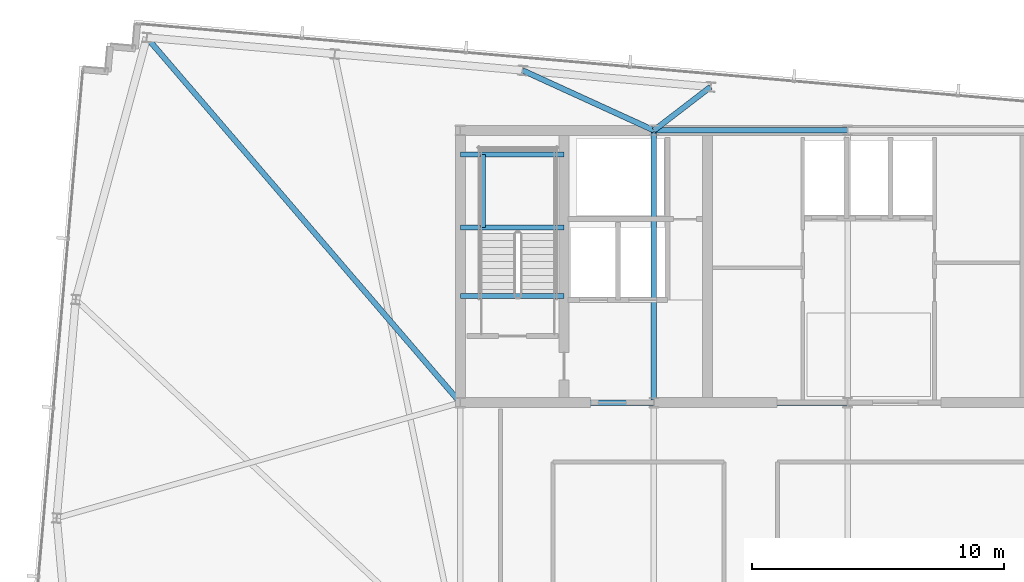
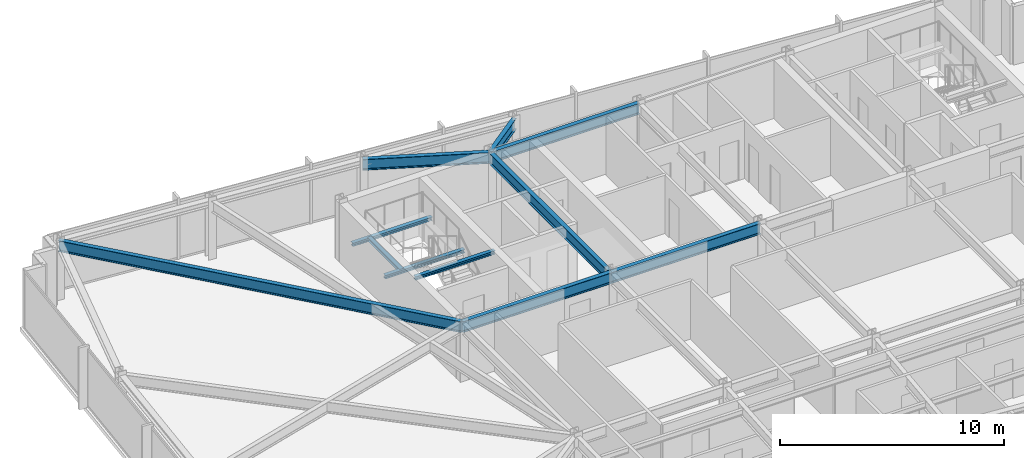
# One storey, part 12 of 32: 11 beams.
"""IFC4 building model written with IfcOpenShell, lengths in metres."""

from ifc_helpers import new_model, si_unit, direction, frame, origin, origin_2d, place, context, subcontext, project, spatial, i_section, extrude, material, material_profile, profile_set, type_object, element, save


model = new_model("IFC4")

# Units and contexts
model_context = context("Model", 3, precision=1e-05, world=origin(), true_north=direction((0.0, 1.0)))
body_context = subcontext(model_context, "Body", "Model", "MODEL_VIEW")
ifc_project = project(units=[si_unit("LENGTHUNIT", "METRE"), si_unit("AREAUNIT", "SQUARE_METRE"), si_unit("VOLUMEUNIT", "CUBIC_METRE"), si_unit("PLANEANGLEUNIT", "RADIAN"), si_unit("MASSUNIT", "GRAM", prefix="KILO")], contexts=[model_context])

# Site, building, storey
site_placement = place(None, origin())
site = spatial("IfcSite", under=ifc_project, at=site_placement, CompositionType="ELEMENT")
building_placement = place(site_placement, origin())
building = spatial("IfcBuilding", under=site, at=building_placement, Name="Yelkora Congress Tower", CompositionType="ELEMENT")
storey_placement = place(building_placement, frame((0.0, 0.0, 276.10009765625)))
storey = spatial("IfcBuildingStorey", under=building, at=storey_placement, Name="L77", CompositionType="ELEMENT", Elevation=276.10009765625)

# Beams
ifc_material = material(Name="Steel S355J2", Category="steel")
ifc_material_profile_1 = material_profile(ifc_material, i_section(OverallWidth=0.219970703125, OverallDepth=0.60009765625, WebThickness=0.011962890625, FlangeThickness=0.01904296875, FilletRadius=0.02392578125, at=origin_2d()), Name="IPE 600")
ifc_profile_set_1 = profile_set([ifc_material_profile_1], Name="Steel S355J2")
beam_type_1 = type_object("IfcBeamType", Name="BM-GIRD-IPE600", PredefinedType="BEAM", material=ifc_profile_set_1)
for number, where, z_axis, x_axis, name in (
    (1, (30.719970703125, 46.199951171875, 2.8798828125), (1.0, 0.0, 0.0), (0.0, 1.0, 0.0), "L77 Core North Girder 2"),
    (2, (23.0400390625, 35.39990234375, 2.8798828125), (1.0, 0.0, 0.0), (0.0, 1.0, 0.0), "L77 Core South Girder 1"),
    (3, (30.719970703125, 35.39990234375, 2.8798828125), (1.0, 0.0, 0.0), (0.0, 1.0, 0.0), "L77 Core South Girder 2"),
):
    element("IfcBeam", number, at=place(storey_placement, frame(where, z_axis=z_axis, x_axis=x_axis)), inside=storey, type_object=beam_type_1, Name=name, PredefinedType="BEAM", context=body_context, shape_type="SweptSolid", body=[
        extrude(i_section(OverallWidth=0.219970703125, OverallDepth=0.60009765625, WebThickness=0.011962890625, FlangeThickness=0.01904296875, FilletRadius=0.02392578125, at=origin_2d()), origin(), (0.0, 0.0, 1.0), 7.679931640625),
    ])
beam_1_placement = place(storey_placement, frame((30.719970703125, 35.39990234375, 2.8798828125), z_axis=(0.0, 1.0, 0.0), x_axis=(-1.0, 0.0, 0.0)))
element("IfcBeam", 4, at=beam_1_placement, inside=storey, type_object=beam_type_1, Name="L77 Core Tie Girder MC-S2", PredefinedType="BEAM", context=body_context, shape_type="SweptSolid", body=[
    extrude(i_section(OverallWidth=0.219970703125, OverallDepth=0.60009765625, WebThickness=0.011962890625, FlangeThickness=0.01904296875, FilletRadius=0.02392578125, at=origin_2d()), origin(), (0.0, 0.0, 1.0), 10.800048828125),
])
beam_2_placement = place(storey_placement, frame((10.60400390625, 49.884033203125, 2.8798828125), z_axis=(0.651427266579, -0.758711088859, 0.0), x_axis=(0.758711088859, 0.651427266579, 0.0)))
element("IfcBeam", 5, at=beam_2_placement, inside=storey, type_object=beam_type_1, Name="L77 Primary Frame Girder N01", PredefinedType="BEAM", context=body_context, shape_type="SweptSolid", body=[
    extrude(i_section(OverallWidth=0.219970703125, OverallDepth=0.60009765625, WebThickness=0.011962890625, FlangeThickness=0.01904296875, FilletRadius=0.02392578125, at=origin_2d()), origin(), (0.0, 0.0, 1.0), 19.09033203125),
])
beam_3_placement = place(storey_placement, frame((25.513916015625, 48.57958984375, 2.8798828125), z_axis=(0.909492445228, -0.415720449429, 0.0), x_axis=(0.415720449429, 0.909492445228, 0.0)))
element("IfcBeam", 6, at=beam_3_placement, inside=storey, type_object=beam_type_1, Name="L77 Primary Frame Girder N03", PredefinedType="BEAM", context=body_context, shape_type="SweptSolid", body=[
    extrude(i_section(OverallWidth=0.219970703125, OverallDepth=0.60009765625, WebThickness=0.011962890625, FlangeThickness=0.01904296875, FilletRadius=0.02392578125, at=origin_2d()), origin(), (0.0, 0.0, 1.0), 5.72412109375),
])
beam_4_placement = place(storey_placement, frame((32.968505859375, 47.927490234375, 2.8798828125), z_axis=(-0.792982335977, -0.609244626425, 0.0), x_axis=(0.609244626425, -0.792982335977, 0.0)))
element("IfcBeam", 7, at=beam_4_placement, inside=storey, type_object=beam_type_1, Name="L77 Primary Frame Girder N04", PredefinedType="BEAM", context=body_context, shape_type="SweptSolid", body=[
    extrude(i_section(OverallWidth=0.219970703125, OverallDepth=0.60009765625, WebThickness=0.011962890625, FlangeThickness=0.01904296875, FilletRadius=0.02392578125, at=origin_2d()), origin(), (0.0, 0.0, 1.0), 2.83544921875),
])
ifc_material_profile_2 = material_profile(ifc_material, i_section(OverallWidth=0.199951171875, OverallDepth=0.18994140625, WebThickness=0.006591796875, FlangeThickness=0.010009765625, FilletRadius=0.01806640625, at=origin_2d()), Name="HEA 200")
ifc_profile_set_2 = profile_set([ifc_material_profile_2], Name="Steel S355J2")
beam_type_2 = type_object("IfcBeamType", Name="BM-LAND-HEA200", PredefinedType="BEAM", material=ifc_profile_set_2)
for number, where, z_axis, x_axis, name in (
    (8, (23.0400390625, 42.340087890625, 1.384521484375), (1.0, 0.0, 0.0), (0.0, 1.0, 0.0), "ST-01 L77 Landing Header Beam 1S"),
    (9, (23.0400390625, 45.25, 1.384521484375), (1.0, 0.0, 0.0), (0.0, 1.0, 0.0), "ST-01 L77 Landing Header Beam 1N"),
):
    element("IfcBeam", number, at=place(storey_placement, frame(where, z_axis=z_axis, x_axis=x_axis)), inside=storey, type_object=beam_type_2, Name=name, PredefinedType="BEAM", context=body_context, shape_type="SweptSolid", body=[
        extrude(i_section(OverallWidth=0.199951171875, OverallDepth=0.18994140625, WebThickness=0.006591796875, FlangeThickness=0.010009765625, FilletRadius=0.01806640625, at=origin_2d()), origin(), (0.0, 0.0, 1.0), 4.10986328125),
    ])
beam_5_placement = place(storey_placement, frame((23.93994140625, 42.340087890625, 1.384521484375), z_axis=(0.0, 1.0, 0.0), x_axis=(-1.0, 0.0, 0.0)))
element("IfcBeam", 10, at=beam_5_placement, inside=storey, type_object=beam_type_2, Name="ST-01 L77 Landing Trimmer Beam 1M", PredefinedType="BEAM", context=body_context, shape_type="SweptSolid", body=[
    extrude(i_section(OverallWidth=0.199951171875, OverallDepth=0.18994140625, WebThickness=0.006591796875, FlangeThickness=0.010009765625, FilletRadius=0.01806640625, at=origin_2d()), origin(), (0.0, 0.0, 1.0), 2.909912109375),
])
beam_6_placement = place(storey_placement, frame((23.0400390625, 39.639892578125, 2.947265625), z_axis=(1.0, 0.0, 0.0), x_axis=(0.0, 1.0, 0.0)))
element("IfcBeam", 11, at=beam_6_placement, inside=storey, type_object=beam_type_2, Name="ST-01 L77 Floor Arrival Stringer Header Beam", PredefinedType="BEAM", context=body_context, shape_type="SweptSolid", body=[
    extrude(i_section(OverallWidth=0.199951171875, OverallDepth=0.18994140625, WebThickness=0.006591796875, FlangeThickness=0.010009765625, FilletRadius=0.01806640625, at=origin_2d()), origin(), (0.0, 0.0, 1.0), 4.10986328125),
])

save(model, "model.ifc")
